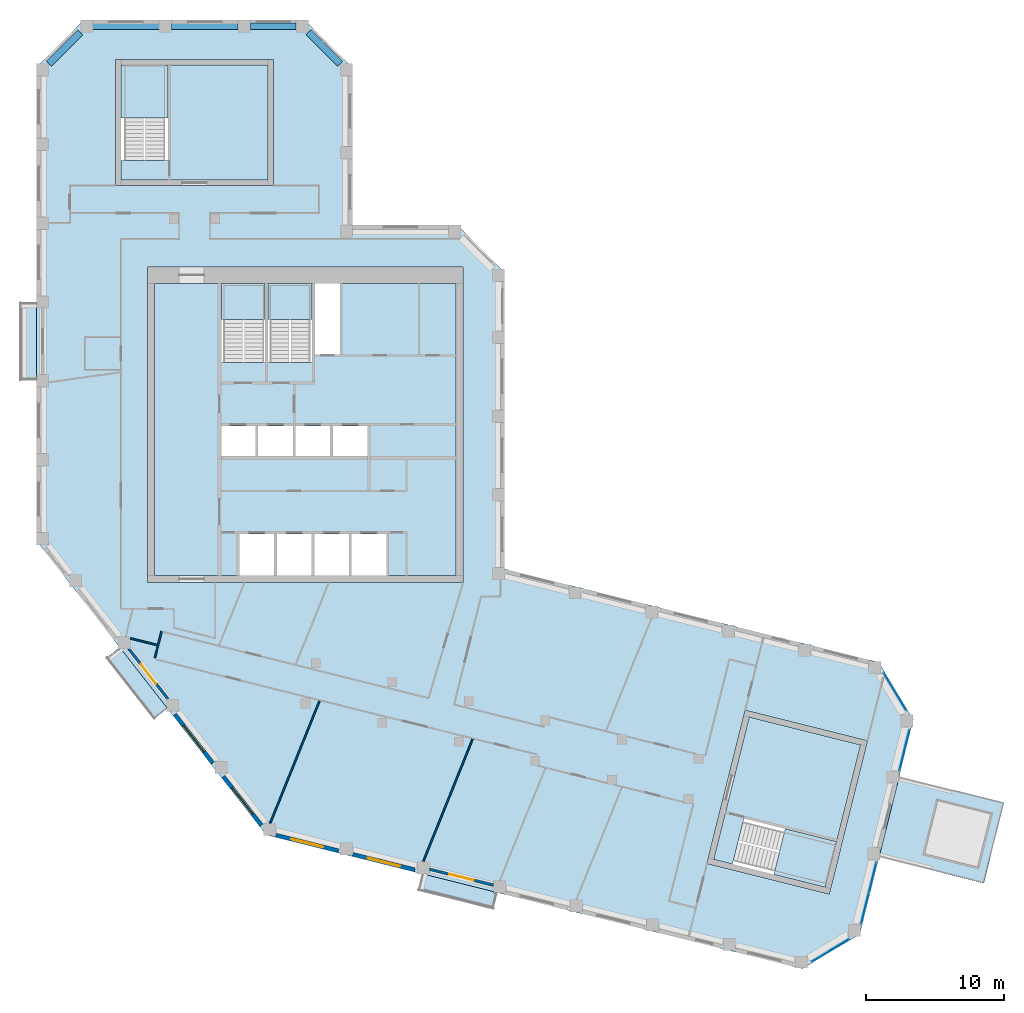
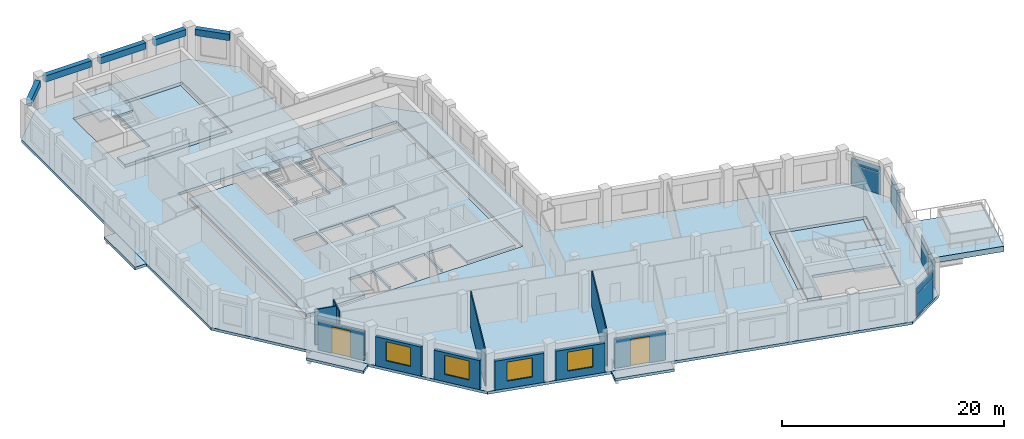
# One storey, part 6 of 13: 12 slabs, 10 plates, 10 walls, 5 beams, 4 windows, 2 doors, 6 openings, 8 elements without a shape of their own.
"""IFC4 building model written with IfcOpenShell, lengths in metres."""

from ifc_helpers import new_model, si_unit, direction, frame, frame_2d, origin, origin_2d, place, context, subcontext, project, spatial, polyline, rectangle, outline, extrude, material, layer, layer_set, material_profile, profile_set, type_object, element, fill, aggregate, save


model = new_model("IFC4")

# Units and contexts
model_context = context("Model", 3, precision=1e-05, world=origin(), true_north=direction((0.0, 1.0)))
body_context = subcontext(model_context, "Body", "Model", "MODEL_VIEW")
ifc_project = project(units=[si_unit("LENGTHUNIT", "METRE"), si_unit("AREAUNIT", "SQUARE_METRE"), si_unit("VOLUMEUNIT", "CUBIC_METRE"), si_unit("PLANEANGLEUNIT", "RADIAN"), si_unit("MASSUNIT", "GRAM", prefix="KILO")], contexts=[model_context])

# Site, building, storey
site_placement = place(None, origin())
site = spatial("IfcSite", under=ifc_project, at=site_placement, CompositionType="ELEMENT")
building_placement = place(site_placement, origin())
building = spatial("IfcBuilding", under=site, at=building_placement, Name="Meshkara Civic Tower", CompositionType="ELEMENT")
storey_placement = place(building_placement, frame((0.0, 0.0, 383.39990234375)))
storey = spatial("IfcBuildingStorey", under=building, at=storey_placement, Name="L88", CompositionType="ELEMENT", Elevation=383.39990234375)

# Beams
ifc_material_1 = material(Name="Concrete C50", Category="concrete")
ifc_material_profile = material_profile(ifc_material_1, rectangle(XDim=0.5, YDim=0.699951171875, at=origin_2d()))
ifc_profile_set = profile_set([ifc_material_profile], Name="Concrete C50")
beam_type = type_object("IfcBeamType", Name="Spandrel beam RC 500x700 C50", PredefinedType="BEAM", material=ifc_profile_set)
beam_1_placement = place(storey_placement, frame((21.903564453125, 51.560546875, 3.550048828125), z_axis=(-0.707144921739, 0.707068638576, 0.0), x_axis=(-0.707068638576, -0.707144921739, 0.0)))
element("IfcBeam", 1, at=beam_1_placement, inside=storey, type_object=beam_type, Name="Spandrel beam AEEP5-ATiEP5", PredefinedType="BEAM", context=body_context, shape_type="SweptSolid", body=[
    extrude(rectangle(XDim=0.5, YDim=0.699951171875, at=origin_2d()), origin(), (0.0, 0.0, 1.0), 3.200439453125),
])
beam_2_placement = place(storey_placement, frame((18.7490234375, 54.27001953125, 3.550048828125), z_axis=(-1.0, 0.0, 0.0), x_axis=(0.0, -1.0, 0.0)))
element("IfcBeam", 2, at=beam_2_placement, inside=storey, type_object=beam_type, Name="Spandrel beam AT02-P5-ATiEP5", PredefinedType="BEAM", context=body_context, shape_type="SweptSolid", body=[
    extrude(rectangle(XDim=0.5, YDim=0.699951171875, at=origin_2d()), origin(), (0.0, 0.0, 1.0), 3.298095703125),
])
for number, where, z_axis, x_axis, name in (
    (3, (14.56103515625, 54.27001953125, 3.550048828125), (-1.0, 0.0, 0.0), (0.0, -1.0, 0.0), "Spandrel beam AT01-P5-AT02-P5"),
    (4, (8.861083984375, 54.27001953125, 3.550048828125), (-1.0, 0.0, 0.0), (0.0, -1.0, 0.0), "Spandrel beam AT00-P5-AT01-P5"),
):
    element("IfcBeam", number, at=place(storey_placement, frame(where, z_axis=z_axis, x_axis=x_axis)), inside=storey, type_object=beam_type, Name=name, PredefinedType="BEAM", context=body_context, shape_type="SweptSolid", body=[
        extrude(rectangle(XDim=0.5, YDim=0.699951171875, at=origin_2d()), origin(), (0.0, 0.0, 1.0), 4.81005859375),
    ])
beam_3_placement = place(storey_placement, frame((3.159423828125, 53.823486328125, 3.550048828125), z_axis=(-0.707106781187, -0.707106781187, 0.0), x_axis=(0.707106781187, -0.707106781187, 0.0)))
element("IfcBeam", 5, at=beam_3_placement, inside=storey, type_object=beam_type, Name="Spandrel beam AT00-P5-ATo00-P5", PredefinedType="BEAM", context=body_context, shape_type="SweptSolid", body=[
    extrude(rectangle(XDim=0.5, YDim=0.699951171875, at=origin_2d()), origin(), (0.0, 0.0, 1.0), 3.2001953125),
])

# Slabs
ifc_material_2 = material(Name="Concrete C40", Category="concrete")
ifc_layer_1 = layer(ifc_material_2, 0.300048828125)
ifc_layer_set_1 = layer_set([ifc_layer_1], Name="BALCONY SLAB")
slab_type_1 = type_object("IfcSlabType", Name="BALCONY SLAB", PredefinedType="FLOOR", material=ifc_layer_set_1)
slab_1_placement = place(storey_placement, frame((0.0, 0.0, -0.2998046875)))
element("IfcSlab", 6, at=slab_1_placement, inside=storey, type_object=slab_type_1, Name="Balcony slab", PredefinedType="FLOOR", context=body_context, shape_type="SweptSolid", body=[
    extrude(outline(polyline([(0.0, 29.10498046875), (0.0, 28.715087890625), (-1.199951171875, 28.715087890625), (-1.199951171875, 34.294921875), (0.0, 34.294921875), (0.0, 33.905029296875), (0.0, 29.10498046875)])), origin(), (0.0, 0.0, 1.0), 0.2998046875),
])
slab_2_placement = place(storey_placement, frame((0.0, 0.0, -0.2998046875)))
element("IfcSlab", 7, at=slab_2_placement, inside=storey, type_object=slab_type_1, Name="Balcony slab", PredefinedType="FLOOR", context=body_context, shape_type="SweptSolid", body=[
    extrude(outline(polyline([(8.49609375, 4.27587890625), (5.06005859375, 8.674072265625), (5.873046875, 9.30908203125), (5.873046875, 9.287109375), (6.10400390625, 9.287109375), (9.383056640625, 5.090087890625), (9.383056640625, 4.969970703125), (8.49609375, 4.27587890625)])), origin(), (0.0, 0.0, 1.0), 0.2998046875),
])
slab_3_placement = place(storey_placement, frame((0.0, 0.0, -0.2998046875)))
element("IfcSlab", 8, at=slab_3_placement, inside=storey, type_object=slab_type_1, Name="Balcony slab", PredefinedType="FLOOR", context=body_context, shape_type="SweptSolid", body=[
    extrude(outline(polyline([(32.986083984375, -9.4609375), (27.571044921875, -8.111083984375), (27.861083984375, -6.947021484375), (32.992919921875, -8.22607421875), (32.992919921875, -8.324951171875), (33.26904296875, -8.324951171875), (32.986083984375, -9.4609375)])), origin(), (0.0, 0.0, 1.0), 0.2998046875),
])

# Curtain wall, plates
ifc_material_3 = material(Name="Tinted double glazing", Category="glass")
curtain_wall_type = type_object("IfcCurtainWallType", Name="CW POOL PAVILION AND FOYER", PredefinedType="NOTDEFINED", material=ifc_material_3)
curtain_wall_1_placement = place(storey_placement, origin())
curtain_wall_1 = element("IfcCurtainWall", 9, at=curtain_wall_1_placement, inside=storey, type_object=curtain_wall_type, Name="Curtain wall CW4", PredefinedType="NOTDEFINED")
ifc_material_4 = material(Name="Tinted double glazing", Category="glass")
ifc_layer_2 = layer(ifc_material_4, 0.028076171875)
ifc_layer_set_2 = layer_set([ifc_layer_2], Name="CW PANEL IGU 28")
plate_type = type_object("IfcPlateType", Name="CW PANEL IGU 28", PredefinedType="CURTAIN_PANEL", material=ifc_layer_set_2)
plate_1_placement = place(storey_placement, frame((57.33837890625, -12.47607421875, 0.06005859375), z_axis=(0.0, 0.0, 1.0), x_axis=(0.85724680136, 0.514905740459, 0.0)))
plate_1 = element("IfcPlate", 10, at=plate_1_placement, type_object=plate_type, Name="CW4 panel 1.1", PredefinedType="CURTAIN_PANEL", context=body_context, shape_type="SweptSolid", body=[
    extrude(rectangle(XDim=3.107666015625, YDim=0.028076171875, at=origin_2d()), origin(), (0.0, 0.0, 1.0), 2.31005859375),
])
plate_2_placement = place(storey_placement, frame((57.33837890625, -12.47607421875, 2.43017578125), z_axis=(0.0, 0.0, 1.0), x_axis=(0.85724680136, 0.514905740459, 0.0)))
plate_2 = element("IfcPlate", 11, at=plate_2_placement, type_object=plate_type, Name="CW4 panel 1.2", PredefinedType="CURTAIN_PANEL", context=body_context, shape_type="SweptSolid", body=[
    extrude(rectangle(XDim=3.107666015625, YDim=0.028076171875, at=origin_2d()), origin(), (0.0, 0.0, 1.0), 0.7099609375),
])
aggregate(curtain_wall_1, [plate_1, plate_2])

curtain_wall_2_placement = place(storey_placement, origin())
curtain_wall_2 = element("IfcCurtainWall", 12, at=curtain_wall_2_placement, inside=storey, type_object=curtain_wall_type, Name="Curtain wall CW4", PredefinedType="NOTDEFINED")
plate_3_placement = place(storey_placement, frame((59.834716796875, -9.4365234375, 0.06005859375), z_axis=(0.0, 0.0, 1.0), x_axis=(0.242127208501, 0.970244512947, 0.0)))
plate_3 = element("IfcPlate", 13, at=plate_3_placement, type_object=plate_type, Name="CW4 panel 1.1", PredefinedType="CURTAIN_PANEL", context=body_context, shape_type="SweptSolid", body=[
    extrude(rectangle(XDim=2.214599609375, YDim=0.028076171875, at=origin_2d()), origin(), (0.0, 0.0, 1.0), 2.31005859375),
])
plate_4_placement = place(storey_placement, frame((59.834716796875, -9.4365234375, 2.43017578125), z_axis=(0.0, 0.0, 1.0), x_axis=(0.242127208501, 0.970244512947, 0.0)))
plate_4 = element("IfcPlate", 14, at=plate_4_placement, type_object=plate_type, Name="CW4 panel 1.2", PredefinedType="CURTAIN_PANEL", context=body_context, shape_type="SweptSolid", body=[
    extrude(rectangle(XDim=2.214599609375, YDim=0.028076171875, at=origin_2d()), origin(), (0.0, 0.0, 1.0), 0.7099609375),
])
plate_5_placement = place(storey_placement, frame((60.38525390625, -7.2294921875, 0.06005859375), z_axis=(0.0, 0.0, 1.0), x_axis=(0.242127208501, 0.970244512947, 0.0)))
plate_5 = element("IfcPlate", 15, at=plate_5_placement, type_object=plate_type, Name="CW4 panel 2.1", PredefinedType="CURTAIN_PANEL", context=body_context, shape_type="SweptSolid", body=[
    extrude(rectangle(XDim=2.214599609375, YDim=0.028076171875, at=origin_2d()), origin(), (0.0, 0.0, 1.0), 2.31005859375),
])
plate_6_placement = place(storey_placement, frame((60.38525390625, -7.2294921875, 2.43017578125), z_axis=(0.0, 0.0, 1.0), x_axis=(0.242127208501, 0.970244512947, 0.0)))
plate_6 = element("IfcPlate", 16, at=plate_6_placement, type_object=plate_type, Name="CW4 panel 2.2", PredefinedType="CURTAIN_PANEL", context=body_context, shape_type="SweptSolid", body=[
    extrude(rectangle(XDim=2.214599609375, YDim=0.028076171875, at=origin_2d()), origin(), (0.0, 0.0, 1.0), 0.7099609375),
])
aggregate(curtain_wall_2, [plate_3, plate_4, plate_5, plate_6])

curtain_wall_3_placement = place(storey_placement, origin())
curtain_wall_3 = element("IfcCurtainWall", 17, at=curtain_wall_3_placement, inside=storey, type_object=curtain_wall_type, Name="Curtain wall CW4", PredefinedType="NOTDEFINED")
plate_7_placement = place(storey_placement, frame((62.6845703125, 1.993896484375, 0.06005859375), z_axis=(0.0, 0.0, 1.0), x_axis=(0.241927575952, 0.970294309987, 0.0)))
plate_7 = element("IfcPlate", 18, at=plate_7_placement, type_object=plate_type, Name="CW4 panel 1.1", PredefinedType="CURTAIN_PANEL", context=body_context, shape_type="SweptSolid", body=[
    extrude(rectangle(XDim=2.97607421875, YDim=0.028076171875, at=origin_2d()), origin(), (0.0, 0.0, 1.0), 2.31005859375),
])
plate_8_placement = place(storey_placement, frame((62.6845703125, 1.993896484375, 2.43017578125), z_axis=(0.0, 0.0, 1.0), x_axis=(0.241927575952, 0.970294309987, 0.0)))
plate_8 = element("IfcPlate", 19, at=plate_8_placement, type_object=plate_type, Name="CW4 panel 1.2", PredefinedType="CURTAIN_PANEL", context=body_context, shape_type="SweptSolid", body=[
    extrude(rectangle(XDim=2.97607421875, YDim=0.028076171875, at=origin_2d()), origin(), (0.0, 0.0, 1.0), 0.7099609375),
])
aggregate(curtain_wall_3, [plate_7, plate_8])

curtain_wall_4_placement = place(storey_placement, origin())
curtain_wall_4 = element("IfcCurtainWall", 20, at=curtain_wall_4_placement, inside=storey, type_object=curtain_wall_type, Name="Curtain wall CW4", PredefinedType="NOTDEFINED")
plate_9_placement = place(storey_placement, frame((62.0, 6.218505859375, 0.06005859375), z_axis=(0.0, 0.0, 1.0), x_axis=(-0.514905740459, 0.85724680136, 0.0)))
plate_9 = element("IfcPlate", 21, at=plate_9_placement, type_object=plate_type, Name="CW4 panel 1.1", PredefinedType="CURTAIN_PANEL", context=body_context, shape_type="SweptSolid", body=[
    extrude(rectangle(XDim=3.107666015625, YDim=0.028076171875, at=origin_2d()), origin(), (0.0, 0.0, 1.0), 2.31005859375),
])
plate_10_placement = place(storey_placement, frame((62.0, 6.218505859375, 2.43017578125), z_axis=(0.0, 0.0, 1.0), x_axis=(-0.514905740459, 0.85724680136, 0.0)))
plate_10 = element("IfcPlate", 22, at=plate_10_placement, type_object=plate_type, Name="CW4 panel 1.2", PredefinedType="CURTAIN_PANEL", context=body_context, shape_type="SweptSolid", body=[
    extrude(rectangle(XDim=3.107666015625, YDim=0.028076171875, at=origin_2d()), origin(), (0.0, 0.0, 1.0), 0.7099609375),
])
aggregate(curtain_wall_4, [plate_9, plate_10])

# Slabs
ifc_material_5 = material(Name="Concrete C40/50", Category="concrete")
ifc_layer_3 = layer(ifc_material_5, 0.300048828125)
ifc_layer_set_3 = layer_set([ifc_layer_3], Name="Core floor slab 300 C40/50")
slab_type_2 = type_object("IfcSlabType", Name="Core floor slab 300 C40/50", PredefinedType="FLOOR", material=ifc_layer_set_3)
slab_4_placement = place(storey_placement, frame((0.0, 0.0, -0.2998046875)))
element("IfcSlab", 23, at=slab_4_placement, inside=storey, type_object=slab_type_2, Name="Core floor K", PredefinedType="FLOOR", context=body_context, shape_type="SweptSolid", body=[
    extrude(outline(polyline([(8.5, 35.699951171875), (13.35009765625, 35.699951171875), (13.35009765625, 30.00146484375), (16.5, 30.00146484375), (16.5, 35.699951171875), (16.699951171875, 35.699951171875), (16.699951171875, 30.00146484375), (19.89990234375, 30.00146484375), (19.89990234375, 35.699951171875), (20.10009765625, 35.699951171875), (20.10009765625, 30.574951171875), (21.925048828125, 30.574951171875), (21.925048828125, 35.699951171875), (30.300048828125, 35.699951171875), (30.300048828125, 14.60009765625), (25.25, 14.60009765625), (25.25, 17.60009765625), (22.75, 17.60009765625), (22.75, 14.60009765625), (22.550048828125, 14.60009765625), (22.550048828125, 17.60009765625), (20.050048828125, 17.60009765625), (20.050048828125, 14.60009765625), (19.85009765625, 14.60009765625), (19.85009765625, 17.60009765625), (17.35009765625, 17.60009765625), (17.35009765625, 14.60009765625), (17.14990234375, 14.60009765625), (17.14990234375, 17.60009765625), (14.64990234375, 17.60009765625), (14.64990234375, 14.60009765625), (8.5, 14.60009765625), (8.5, 35.699951171875)]), holes=[polyline([(13.35009765625, 23.25), (15.800048828125, 23.25), (15.800048828125, 25.39990234375), (13.35009765625, 25.39990234375), (13.35009765625, 23.25)]), polyline([(18.5, 23.25), (18.5, 25.39990234375), (16.0, 25.39990234375), (16.0, 23.25), (18.5, 23.25)]), polyline([(18.699951171875, 23.25), (21.199951171875, 23.25), (21.199951171875, 25.39990234375), (18.699951171875, 25.39990234375), (18.699951171875, 23.25)]), polyline([(23.89990234375, 25.39990234375), (21.39990234375, 25.39990234375), (21.39990234375, 23.25), (23.89990234375, 23.25), (23.89990234375, 25.39990234375)])]), origin(), (0.0, 0.0, 1.0), 0.2998046875),
])
slab_5_placement = place(storey_placement, frame((0.0, 0.0, -0.2998046875)))
element("IfcSlab", 24, at=slab_5_placement, inside=storey, type_object=slab_type_2, Name="Core floor EA", PredefinedType="FLOOR", context=body_context, shape_type="SweptSolid", body=[
    extrude(outline(polyline([(16.699951171875, 43.169921875), (16.699951171875, 51.469970703125), (9.5, 51.469970703125), (9.5, 44.571533203125), (6.10009765625, 44.571533203125), (6.10009765625, 43.169921875), (16.699951171875, 43.169921875)])), origin(), (0.0, 0.0, 1.0), 0.2998046875),
])
slab_6_placement = place(storey_placement, frame((0.0, 0.0, -0.2998046875)))
element("IfcSlab", 25, at=slab_6_placement, inside=storey, type_object=slab_type_2, Name="Core floor EB", PredefinedType="FLOOR", context=body_context, shape_type="SweptSolid", body=[
    extrude(outline(polyline([(51.45849609375, 4.381103515625), (59.511962890625, 2.373291015625), (57.77001953125, -4.61279296875), (51.076416015625, -2.944091796875), (50.25390625, -6.242919921875), (48.89404296875, -5.90380859375), (51.45849609375, 4.381103515625)])), origin(), (0.0, 0.0, 1.0), 0.2998046875),
])

# Stair, slab
ifc_material_6 = material(Name="Precast concrete C40/50", Category="concrete")
stair_type = type_object("IfcStairType", Name="Exit stair half-turn 24 risers precast", PredefinedType="HALF_TURN_STAIR", material=ifc_material_6)
stair_1_placement = place(storey_placement, origin())
stair_1 = element("IfcStair", 26, at=stair_1_placement, inside=storey, type_object=stair_type, Name="L88 exit stair 1", PredefinedType="HALF_TURN_STAIR")
ifc_material_7 = material(Name="Precast concrete C40/50", Category="concrete")
ifc_layer_4 = layer(ifc_material_7, 0.199951171875)
ifc_layer_set_4 = layer_set([ifc_layer_4], Name="Exit stair landing 200")
slab_type_3 = type_object("IfcSlabType", Name="Exit stair landing 200", PredefinedType="LANDING", material=ifc_layer_set_4)
slab_7_placement = place(storey_placement, frame((0.0, 0.0, 1.900146484375)))
slab_7 = element("IfcSlab", 27, at=slab_7_placement, type_object=slab_type_3, Name="ST1 landing 1", PredefinedType="LANDING", context=body_context, shape_type="SweptSolid", body=[
    extrude(outline(polyline([(16.5, 33.07861328125), (16.5, 35.699951171875), (13.35009765625, 35.699951171875), (13.35009765625, 33.07861328125), (16.5, 33.07861328125)])), origin(), (0.0, 0.0, 1.0), 0.199951171875),
])
aggregate(stair_1, [slab_7])

stair_2_placement = place(storey_placement, origin())
stair_2 = element("IfcStair", 28, at=stair_2_placement, inside=storey, type_object=stair_type, Name="L88 exit stair 2", PredefinedType="HALF_TURN_STAIR")
slab_8_placement = place(storey_placement, frame((0.0, 0.0, 1.900146484375)))
slab_8 = element("IfcSlab", 29, at=slab_8_placement, type_object=slab_type_3, Name="ST2 landing 1", PredefinedType="LANDING", context=body_context, shape_type="SweptSolid", body=[
    extrude(outline(polyline([(19.89990234375, 33.07861328125), (19.89990234375, 35.699951171875), (16.699951171875, 35.699951171875), (16.699951171875, 33.07861328125), (19.89990234375, 33.07861328125)])), origin(), (0.0, 0.0, 1.0), 0.199951171875),
])
aggregate(stair_2, [slab_8])

stair_3_placement = place(storey_placement, origin())
stair_3 = element("IfcStair", 30, at=stair_3_placement, inside=storey, type_object=stair_type, Name="L88 exit stair A from L80", PredefinedType="HALF_TURN_STAIR")
slab_9_placement = place(storey_placement, frame((0.0, 0.0, 1.900146484375)))
slab_9 = element("IfcSlab", 31, at=slab_9_placement, type_object=slab_type_3, Name="ESA6 landing 1", PredefinedType="LANDING", context=body_context, shape_type="SweptSolid", body=[
    extrude(outline(polyline([(9.5, 47.6484375), (9.5, 51.469970703125), (6.10009765625, 51.469970703125), (6.10009765625, 47.6484375), (9.5, 47.6484375)])), origin(), (0.0, 0.0, 1.0), 0.199951171875),
])
aggregate(stair_3, [slab_9])

stair_4_placement = place(storey_placement, origin())
stair_4 = element("IfcStair", 32, at=stair_4_placement, inside=storey, type_object=stair_type, Name="L88 exit stair B from L80", PredefinedType="HALF_TURN_STAIR")
slab_10_placement = place(storey_placement, frame((0.0, 0.0, 1.900146484375)))
slab_10 = element("IfcSlab", 33, at=slab_10_placement, type_object=slab_type_3, Name="ESB6 landing 1", PredefinedType="LANDING", context=body_context, shape_type="SweptSolid", body=[
    extrude(outline(polyline([(53.2392578125, -6.987548828125), (56.947998046875, -7.912109375), (57.7705078125, -4.612060546875), (54.0615234375, -3.687744140625), (53.2392578125, -6.987548828125)])), origin(), (0.0, 0.0, 1.0), 0.199951171875),
])
aggregate(stair_4, [slab_10])

# Slabs
ifc_material_8 = material(Name="Concrete C50", Category="concrete")
ifc_layer_5 = layer(ifc_material_8, 0.300048828125)
ifc_layer_set_5 = layer_set([ifc_layer_5], Name="Post-tensioned flat slab 300 C50")
slab_type_4 = type_object("IfcSlabType", Name="Post-tensioned flat slab 300 C50", PredefinedType="FLOOR", material=ifc_layer_set_5)
slab_11_placement = place(storey_placement, frame((0.0, 0.0, -0.2998046875)))
element("IfcSlab", 34, at=slab_11_placement, inside=storey, type_object=slab_type_4, Name="Post-tensioned flat slab L88", PredefinedType="FLOOR", context=body_context, shape_type="SweptSolid", body=[
    extrude(outline(polyline([(59.452880859375, -11.299072265625), (55.306884765625, -13.7900390625), (16.592041015625, -4.136962890625), (0.0, 17.10009765625), (0.0, 51.300048828125), (3.419921875, 54.719970703125), (19.3798828125, 54.719970703125), (22.800048828125, 51.300048828125), (22.800048828125, 39.89990234375), (30.3798828125, 39.89990234375), (33.800048828125, 36.47998046875), (33.800048828125, 15.071044921875), (60.822998046875, 8.3330078125), (63.31396484375, 4.18701171875), (59.452880859375, -11.299072265625)]), holes=[polyline([(57.239013671875, -8.39697265625), (59.9970703125, 2.6650390625), (51.1669921875, 4.865966796875), (48.408935546875, -6.195068359375), (57.239013671875, -8.39697265625)]), polyline([(8.0, 14.10009765625), (30.800048828125, 14.10009765625), (30.800048828125, 36.89990234375), (8.0, 36.89990234375), (8.0, 14.10009765625)]), polyline([(5.699951171875, 51.8701171875), (5.699951171875, 42.77001953125), (17.10009765625, 42.77001953125), (17.10009765625, 51.8701171875), (5.699951171875, 51.8701171875)])]), origin(), (0.0, 0.0, 1.0), 0.2998046875),
])
ifc_material_9 = material(Name="Concrete C40", Category="concrete")
ifc_layer_6 = layer(ifc_material_9, 0.60009765625)
ifc_layer_set_6 = layer_set([ifc_layer_6], Name="SKY POOL DECK SLAB 600")
slab_type_5 = type_object("IfcSlabType", Name="SKY POOL DECK SLAB 600", PredefinedType="FLOOR", material=ifc_layer_set_6)
slab_12_placement = place(storey_placement, frame((0.0, 0.0, -0.599853515625)))
element("IfcSlab", 35, at=slab_12_placement, inside=storey, type_object=slab_type_5, Name="Sky pool deck", PredefinedType="FLOOR", context=body_context, shape_type="SweptSolid", body=[
    extrude(outline(polyline([(60.841064453125, -5.73291015625), (62.2919921875, 0.089111328125), (69.861083984375, -1.798095703125), (68.408935546875, -7.6201171875), (60.841064453125, -5.73291015625)])), origin(), (0.0, 0.0, 1.0), 0.599853515625),
])

# Wall
ifc_material_10 = material(Name="Corridor wall 100")
ifc_layer_7 = layer(ifc_material_10, 0.10009765625)
ifc_layer_set_7 = layer_set([ifc_layer_7], Name="Corridor wall 100")
wall_type_1 = type_object("IfcWallType", Name="Corridor wall 100", PredefinedType="PARTITIONING", material=ifc_layer_set_7)
wall_1_placement = place(storey_placement, frame((9.01708984375, 10.55810546875, 0.0), z_axis=(0.0, 0.0, 1.0), x_axis=(-0.241795146079, -0.970327319688, 0.0)))
element("IfcWall", 36, at=wall_1_placement, inside=storey, type_object=wall_type_1, Name="L88-W009", PredefinedType="PARTITIONING", context=body_context, shape_type="SweptSolid", body=[
    extrude(rectangle(XDim=1.939697265625, YDim=0.10009765625, at=frame_2d((0.9697265625, 0.0))), origin(), (0.0, 0.0, 1.0), 3.900146484375),
])

# Wall, opening, window
ifc_material_11 = material(Name="Insulated infill panel with bronze anodised aluminium cladding", Category="aluminium")
ifc_layer_8 = layer(ifc_material_11, 0.300048828125)
ifc_layer_set_8 = layer_set([ifc_layer_8], Name="EXTERNAL INFILL WALL 300")
wall_type_2 = type_object("IfcWallType", Name="EXTERNAL INFILL WALL 300", PredefinedType="SOLIDWALL", material=ifc_layer_set_8)
wall_2_placement = place(storey_placement, frame((9.986083984375, 4.56298828125, 0.0), z_axis=(0.0, 0.0, 1.0), x_axis=(0.615592779411, -0.788064419915, 0.0)))
wall_2 = element("IfcWall", 37, at=wall_2_placement, inside=storey, type_object=wall_type_2, Name="External wall", PredefinedType="SOLIDWALL", context=body_context, shape_type="SweptSolid", body=[
    extrude(rectangle(XDim=4.436279296875, YDim=0.300048828125, at=frame_2d((2.21826171875, 0.0))), origin(), (0.0, 0.0, 1.0), 3.2001953125),
])
opening_1_placement = place(wall_2_placement, frame((1.01806640625, 0.0, 0.800048828125)))
opening_1 = element("IfcOpeningElement", 38, at=opening_1_placement, cuts=wall_2, Name="Opening W7", PredefinedType="OPENING", context=body_context, shape_type="SweptSolid", body=[
    extrude(rectangle(XDim=2.39990234375, YDim=2.10009765625, at=frame_2d((1.199951171875, 1.050048828125))), frame((0.0, 0.159912109375, 0.0), z_axis=(0.0, -1.0, 0.0), x_axis=(1.0, 0.0, 0.0)), (0.0, 0.0, 1.0), 0.320068359375),
])
ifc_material_12 = material(Name="Tinted double glazing", Category="glass")
window_type = type_object("IfcWindowType", Name="WINDOW 2400x2100", PartitioningType="DOUBLE_PANEL_VERTICAL", PredefinedType="WINDOW", material=ifc_material_12)
window_1_placement = place(opening_1_placement, origin())
window_1 = element("IfcWindow", 39, at=window_1_placement, inside=storey, type_object=window_type, Name="Window", OverallHeight=2.10009765625, OverallWidth=2.39990234375, PartitioningType="DOUBLE_PANEL_VERTICAL", PredefinedType="WINDOW", context=body_context, shape_type="SweptSolid", body=[
    extrude(rectangle(XDim=2.39990234375, YDim=2.10009765625, at=frame_2d((1.199951171875, 1.050048828125))), frame((0.0, 0.030029296875, 0.0), z_axis=(0.0, -1.0, 0.0), x_axis=(1.0, 0.0, 0.0)), (0.0, 0.0, 1.0), 0.06005859375),
])
fill(opening_1, window_1)

wall_3_placement = place(storey_placement, frame((13.493896484375, 0.071044921875, 0.0), z_axis=(0.0, 0.0, 1.0), x_axis=(0.615763624226, -0.787930935476, 0.0)))
wall_3 = element("IfcWall", 40, at=wall_3_placement, inside=storey, type_object=wall_type_2, Name="External wall", PredefinedType="SOLIDWALL", context=body_context, shape_type="SweptSolid", body=[
    extrude(rectangle(XDim=4.43701171875, YDim=0.300048828125, at=frame_2d((2.218505859375, 0.0))), origin(), (0.0, 0.0, 1.0), 3.2001953125),
])
opening_2_placement = place(wall_3_placement, frame((1.01806640625, 0.0, 0.800048828125)))
opening_2 = element("IfcOpeningElement", 41, at=opening_2_placement, cuts=wall_3, Name="Opening W7", PredefinedType="OPENING", context=body_context, shape_type="SweptSolid", body=[
    extrude(rectangle(XDim=2.39990234375, YDim=2.10009765625, at=frame_2d((1.199951171875, 1.050048828125))), frame((0.0, 0.159912109375, 0.0), z_axis=(0.0, -1.0, 0.0), x_axis=(1.0, 0.0, 0.0)), (0.0, 0.0, 1.0), 0.320068359375),
])
window_2_placement = place(opening_2_placement, origin())
window_2 = element("IfcWindow", 42, at=window_2_placement, inside=storey, type_object=window_type, Name="Window", OverallHeight=2.10009765625, OverallWidth=2.39990234375, PartitioningType="DOUBLE_PANEL_VERTICAL", PredefinedType="WINDOW", context=body_context, shape_type="SweptSolid", body=[
    extrude(rectangle(XDim=2.39990234375, YDim=2.10009765625, at=frame_2d((1.199951171875, 1.050048828125))), frame((0.0, 0.030029296875, 0.0), z_axis=(0.0, -1.0, 0.0), x_axis=(1.0, 0.0, 0.0)), (0.0, 0.0, 1.0), 0.06005859375),
])
fill(opening_2, window_2)

wall_4_placement = place(storey_placement, frame((17.30810546875, -4.160888671875, 0.0), z_axis=(0.0, 0.0, 1.0), x_axis=(0.970294992984, -0.241924836652, 0.0)))
wall_4 = element("IfcWall", 43, at=wall_4_placement, inside=storey, type_object=wall_type_2, Name="External wall", PredefinedType="SOLIDWALL", context=body_context, shape_type="SweptSolid", body=[
    extrude(rectangle(XDim=4.60888671875, YDim=0.300048828125, at=frame_2d((2.304443359375, 0.0))), origin(), (0.0, 0.0, 1.0), 3.2001953125),
])
opening_3_placement = place(wall_4_placement, frame((1.10498046875, 0.0, 0.800048828125)))
opening_3 = element("IfcOpeningElement", 44, at=opening_3_placement, cuts=wall_4, Name="Opening W7", PredefinedType="OPENING", context=body_context, shape_type="SweptSolid", body=[
    extrude(rectangle(XDim=2.39990234375, YDim=2.10009765625, at=frame_2d((1.199951171875, 1.050048828125))), frame((0.0, 0.159912109375, 0.0), z_axis=(0.0, -1.0, 0.0), x_axis=(1.0, 0.0, 0.0)), (0.0, 0.0, 1.0), 0.320068359375),
])
window_3_placement = place(opening_3_placement, origin())
window_3 = element("IfcWindow", 45, at=window_3_placement, inside=storey, type_object=window_type, Name="Window", OverallHeight=2.10009765625, OverallWidth=2.39990234375, PartitioningType="DOUBLE_PANEL_VERTICAL", PredefinedType="WINDOW", context=body_context, shape_type="SweptSolid", body=[
    extrude(rectangle(XDim=2.39990234375, YDim=2.10009765625, at=frame_2d((1.199951171875, 1.050048828125))), frame((0.0, 0.030029296875, 0.0), z_axis=(0.0, -1.0, 0.0), x_axis=(1.0, 0.0, 0.0)), (0.0, 0.0, 1.0), 0.06005859375),
])
fill(opening_3, window_3)

wall_5_placement = place(storey_placement, frame((22.839111328125, -5.5400390625, 0.0), z_axis=(0.0, 0.0, 1.0), x_axis=(0.970282587769, -0.241974585177, 0.0)))
wall_5 = element("IfcWall", 46, at=wall_5_placement, inside=storey, type_object=wall_type_2, Name="External wall", PredefinedType="SOLIDWALL", context=body_context, shape_type="SweptSolid", body=[
    extrude(rectangle(XDim=4.60791015625, YDim=0.300048828125, at=frame_2d((2.303955078125, 0.0))), origin(), (0.0, 0.0, 1.0), 3.2001953125),
])
opening_4_placement = place(wall_5_placement, frame((1.10400390625, 0.0, 0.800048828125)))
opening_4 = element("IfcOpeningElement", 47, at=opening_4_placement, cuts=wall_5, Name="Opening W7", PredefinedType="OPENING", context=body_context, shape_type="SweptSolid", body=[
    extrude(rectangle(XDim=2.39990234375, YDim=2.10009765625, at=frame_2d((1.199951171875, 1.050048828125))), frame((0.0, 0.159912109375, 0.0), z_axis=(0.0, -1.0, 0.0), x_axis=(1.0, 0.0, 0.0)), (0.0, 0.0, 1.0), 0.320068359375),
])
window_4_placement = place(opening_4_placement, origin())
window_4 = element("IfcWindow", 48, at=window_4_placement, inside=storey, type_object=window_type, Name="Window", OverallHeight=2.10009765625, OverallWidth=2.39990234375, PartitioningType="DOUBLE_PANEL_VERTICAL", PredefinedType="WINDOW", context=body_context, shape_type="SweptSolid", body=[
    extrude(rectangle(XDim=2.39990234375, YDim=2.10009765625, at=frame_2d((1.199951171875, 1.050048828125))), frame((0.0, 0.030029296875, 0.0), z_axis=(0.0, -1.0, 0.0), x_axis=(1.0, 0.0, 0.0)), (0.0, 0.0, 1.0), 0.06005859375),
])
fill(opening_4, window_4)

# Wall, opening, door
ifc_material_13 = material(Name="Insulated infill panel with bronze anodised aluminium cladding", Category="aluminium")
ifc_layer_9 = layer(ifc_material_13, 0.199951171875)
ifc_layer_set_9 = layer_set([ifc_layer_9], Name="LOGGIA BACK WALL 200")
wall_type_3 = type_object("IfcWallType", Name="LOGGIA BACK WALL 200", PredefinedType="SOLIDWALL", material=ifc_layer_set_9)
wall_6_placement = place(storey_placement, frame((6.675048828125, 9.287109375, 0.0), z_axis=(0.0, 0.0, 1.0), x_axis=(0.615593109271, -0.788064162247, 0.0)))
wall_6 = element("IfcWall", 49, at=wall_6_placement, inside=storey, type_object=wall_type_3, Name="Loggia wall", PredefinedType="SOLIDWALL", context=body_context, shape_type="SweptSolid", body=[
    extrude(rectangle(XDim=4.55810546875, YDim=0.199951171875, at=frame_2d((2.279052734375, 0.0))), origin(), (0.0, 0.0, 1.0), 3.2001953125),
])
opening_5_placement = place(wall_6_placement, frame((1.3779296875, 0.0, 0.0)))
opening_5 = element("IfcOpeningElement", 50, at=opening_5_placement, cuts=wall_6, Name="Opening L88-L002", PredefinedType="OPENING", context=body_context, shape_type="SweptSolid", body=[
    extrude(rectangle(XDim=1.800048828125, YDim=2.89990234375, at=frame_2d((0.89990234375, 1.449951171875))), frame((0.0, 0.10986328125, 0.0), z_axis=(0.0, -1.0, 0.0), x_axis=(1.0, 0.0, 0.0)), (0.0, 0.0, 1.0), 0.219970703125),
])
ifc_material_14 = material(Name="Tinted double glazing", Category="glass")
door_type = type_object("IfcDoorType", Name="LOGGIA DOOR 1800x2900", OperationType="DOUBLE_DOOR_SINGLE_SWING", PredefinedType="DOOR", material=ifc_material_14)
door_1_placement = place(opening_5_placement, origin())
door_1 = element("IfcDoor", 51, at=door_1_placement, inside=storey, type_object=door_type, Name="L88-L002", OperationType="DOUBLE_DOOR_SINGLE_SWING", OverallHeight=2.89990234375, OverallWidth=1.800048828125, PredefinedType="DOOR", context=body_context, shape_type="SweptSolid", body=[
    extrude(rectangle(XDim=1.800048828125, YDim=2.89990234375, at=frame_2d((0.89990234375, 1.449951171875))), frame((0.0, 0.02490234375, 0.0), z_axis=(0.0, -1.0, 0.0), x_axis=(1.0, 0.0, 0.0)), (0.0, 0.0, 1.0), 0.050048828125),
])
fill(opening_5, door_1)

wall_7_placement = place(storey_placement, frame((28.362060546875, -6.60791015625, 0.0), z_axis=(0.0, 0.0, 1.0), x_axis=(0.970322781135, -0.241813358626, 0.0)))
wall_7 = element("IfcWall", 52, at=wall_7_placement, inside=storey, type_object=wall_type_3, Name="Loggia wall", PredefinedType="SOLIDWALL", context=body_context, shape_type="SweptSolid", body=[
    extrude(rectangle(XDim=4.7724609375, YDim=0.199951171875, at=frame_2d((2.38623046875, 0.0))), origin(), (0.0, 0.0, 1.0), 3.2001953125),
])
opening_6_placement = place(wall_7_placement, frame((1.486083984375, 0.0, 0.0)))
opening_6 = element("IfcOpeningElement", 53, at=opening_6_placement, cuts=wall_7, Name="Opening L88-L003", PredefinedType="OPENING", context=body_context, shape_type="SweptSolid", body=[
    extrude(rectangle(XDim=1.800048828125, YDim=2.89990234375, at=frame_2d((0.89990234375, 1.449951171875))), frame((0.0, 0.10986328125, 0.0), z_axis=(0.0, -1.0, 0.0), x_axis=(1.0, 0.0, 0.0)), (0.0, 0.0, 1.0), 0.219970703125),
])
door_2_placement = place(opening_6_placement, origin())
door_2 = element("IfcDoor", 54, at=door_2_placement, inside=storey, type_object=door_type, Name="L88-L003", OperationType="DOUBLE_DOOR_SINGLE_SWING", OverallHeight=2.89990234375, OverallWidth=1.800048828125, PredefinedType="DOOR", context=body_context, shape_type="SweptSolid", body=[
    extrude(rectangle(XDim=1.800048828125, YDim=2.89990234375, at=frame_2d((0.89990234375, 1.449951171875))), frame((0.0, 0.02490234375, 0.0), z_axis=(0.0, -1.0, 0.0), x_axis=(1.0, 0.0, 0.0)), (0.0, 0.0, 1.0), 0.050048828125),
])
fill(opening_6, door_2)

# Walls
ifc_material_15 = material(Name="Partition 100")
ifc_layer_10 = layer(ifc_material_15, 0.10009765625)
ifc_layer_set_10 = layer_set([ifc_layer_10], Name="Partition 100")
wall_type_4 = type_object("IfcWallType", Name="Partition 100", PredefinedType="PARTITIONING", material=ifc_layer_set_10)
wall_8_placement = place(storey_placement, frame((8.719970703125, 9.573974609375, 0.0), z_axis=(0.0, 0.0, 1.0), x_axis=(-0.970221168815, 0.24222073318, 0.0)))
element("IfcWall", 55, at=wall_8_placement, inside=storey, type_object=wall_type_4, Name="L88-W042", PredefinedType="PARTITIONING", context=body_context, shape_type="SweptSolid", body=[
    extrude(rectangle(XDim=2.0068359375, YDim=0.10009765625, at=frame_2d((1.00341796875, 0.0))), origin(), (0.0, 0.0, 1.0), 3.900146484375),
])
wall_9_placement = place(storey_placement, frame((16.861083984375, -3.2880859375, 0.0), z_axis=(0.0, 0.0, 1.0), x_axis=(0.374527492133, 0.927215809635, 0.0)))
element("IfcWall", 56, at=wall_9_placement, inside=storey, type_object=wall_type_4, Name="L88-W044", PredefinedType="PARTITIONING", context=body_context, shape_type="SweptSolid", body=[
    extrude(rectangle(XDim=9.52099609375, YDim=0.10009765625, at=frame_2d((4.760498046875, 0.0))), origin(), (0.0, 0.0, 1.0), 3.900146484375),
])
wall_10_placement = place(storey_placement, frame((27.922119140625, -6.0458984375, 0.0), z_axis=(0.0, 0.0, 1.0), x_axis=(0.374500779928, 0.927226598968, 0.0)))
element("IfcWall", 57, at=wall_10_placement, inside=storey, type_object=wall_type_4, Name="L88-W046", PredefinedType="PARTITIONING", context=body_context, shape_type="SweptSolid", body=[
    extrude(rectangle(XDim=9.521728515625, YDim=0.10009765625, at=frame_2d((4.7607421875, 0.0))), origin(), (0.0, 0.0, 1.0), 3.900146484375),
])

save(model, "model.ifc")
